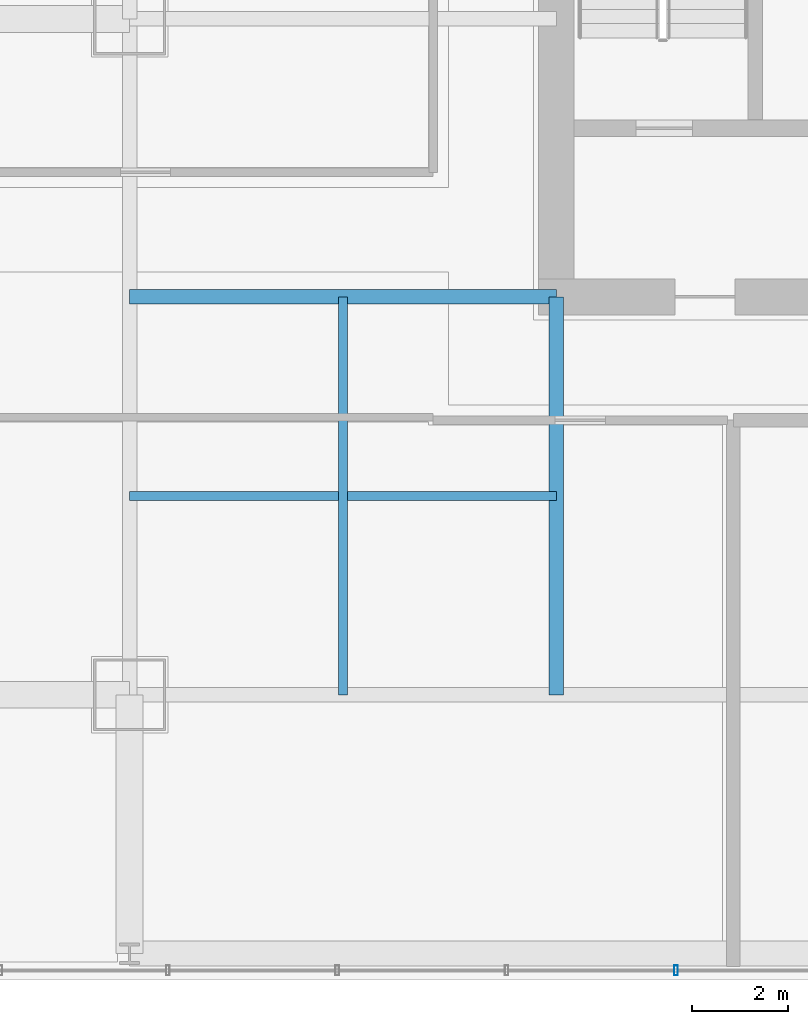
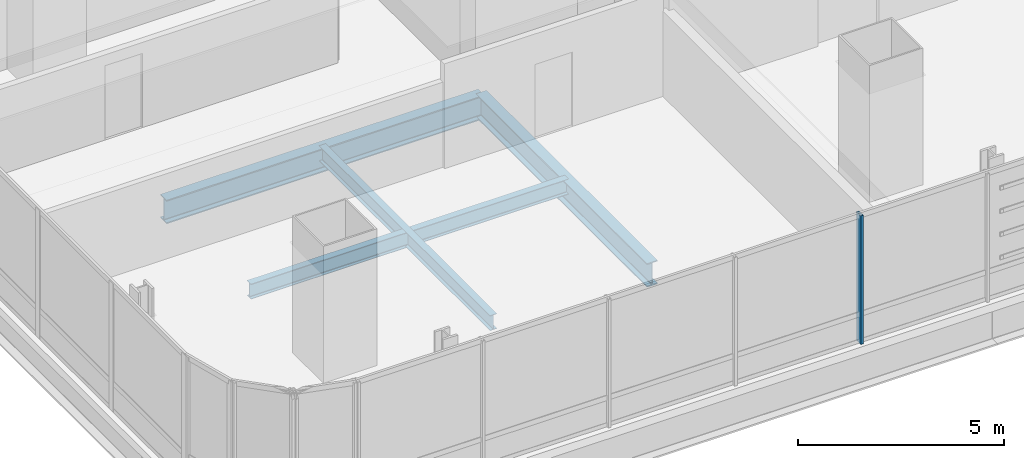
# One storey, part 5 of 36: 4 beams, 1 member, 1 element without a shape of its own.
"""IFC4 building model written with IfcOpenShell, lengths in metres."""

from ifc_helpers import new_model, si_unit, direction, frame, origin, origin_2d, place, context, subcontext, project, spatial, hollow_rectangle, i_section, extrude, material, material_profile, profile_set, type_object, element, aggregate, save


model = new_model("IFC4")

# Units and contexts
model_context = context("Model", 3, precision=1e-05, world=origin(), true_north=direction((0.0, 1.0)))
body_context = subcontext(model_context, "Body", "Model", "MODEL_VIEW")
ifc_project = project(units=[si_unit("LENGTHUNIT", "METRE"), si_unit("AREAUNIT", "SQUARE_METRE"), si_unit("VOLUMEUNIT", "CUBIC_METRE"), si_unit("PLANEANGLEUNIT", "RADIAN"), si_unit("MASSUNIT", "GRAM", prefix="KILO")], contexts=[model_context])

# Site, building, storey
site_placement = place(None, origin())
site = spatial("IfcSite", under=ifc_project, at=site_placement, CompositionType="ELEMENT")
building_placement = place(site_placement, origin())
building = spatial("IfcBuilding", under=site, at=building_placement, Name="Punatoya Terracotta Tower", CompositionType="ELEMENT")
storey_placement = place(building_placement, frame((0.0, 0.0, 48.449951171875)))
storey = spatial("IfcBuildingStorey", under=building, at=storey_placement, Name="L10", CompositionType="ELEMENT", Elevation=48.449951171875)

# Beams
ifc_material_1 = material(Name="Steel S355", Category="steel")
ifc_material_profile_1 = material_profile(ifc_material_1, i_section(OverallWidth=0.300048828125, OverallDepth=0.699951171875, WebThickness=0.01708984375, FlangeThickness=0.031982421875, FilletRadius=0.01806640625, at=origin_2d()))
ifc_profile_set_1 = profile_set([ifc_material_profile_1], Name="Steel S355")
beam_type_1 = type_object("IfcBeamType", Name="BM-PRI-700", PredefinedType="BEAM", material=ifc_profile_set_1)
beam_1_placement = place(storey_placement, frame((-19.10009765625, -9.199951171875, -0.58984375), z_axis=(1.0, 0.0, 0.0), x_axis=(0.0, 1.0, 0.0)))
element("IfcBeam", 1, at=beam_1_placement, inside=storey, type_object=beam_type_1, Name="BM-L10-PR-WS", PredefinedType="BEAM", context=body_context, shape_type="SweptSolid", body=[
    extrude(i_section(OverallWidth=0.300048828125, OverallDepth=0.699951171875, WebThickness=0.01708984375, FlangeThickness=0.031982421875, FilletRadius=0.01806640625, at=origin_2d()), origin(), (0.0, 0.0, 1.0), 8.900146484375),
])
beam_2_placement = place(storey_placement, frame((-10.199951171875, -17.5, -0.58984375), z_axis=(0.0, 1.0, 0.0), x_axis=(-1.0, 0.0, 0.0)))
element("IfcBeam", 2, at=beam_2_placement, inside=storey, type_object=beam_type_1, Name="BM-L10-PR-S1", PredefinedType="BEAM", context=body_context, shape_type="SweptSolid", body=[
    extrude(i_section(OverallWidth=0.300048828125, OverallDepth=0.699951171875, WebThickness=0.01708984375, FlangeThickness=0.031982421875, FilletRadius=0.01806640625, at=origin_2d()), origin(), (0.0, 0.0, 1.0), 8.300048828125),
])
ifc_material_profile_2 = material_profile(ifc_material_1, i_section(OverallWidth=0.18994140625, OverallDepth=0.449951171875, WebThickness=0.009521484375, FlangeThickness=0.0146484375, FilletRadius=0.01806640625, at=origin_2d()))
ifc_profile_set_2 = profile_set([ifc_material_profile_2], Name="Steel S355")
beam_type_2 = type_object("IfcBeamType", Name="BM-SEC-450", PredefinedType="JOIST", material=ifc_profile_set_2)
beam_3_placement = place(storey_placement, frame((-19.10009765625, -13.35009765625, -0.46484375), z_axis=(1.0, 0.0, 0.0), x_axis=(0.0, 1.0, 0.0)))
element("IfcBeam", 3, at=beam_3_placement, inside=storey, type_object=beam_type_2, Name="BM-L10-SJS-1", PredefinedType="JOIST", context=body_context, shape_type="SweptSolid", body=[
    extrude(i_section(OverallWidth=0.18994140625, OverallDepth=0.449951171875, WebThickness=0.009521484375, FlangeThickness=0.0146484375, FilletRadius=0.01806640625, at=origin_2d()), origin(), (0.0, 0.0, 1.0), 8.900146484375),
])
beam_4_placement = place(storey_placement, frame((-14.64990234375, -17.5, -0.46484375), z_axis=(0.0, 1.0, 0.0), x_axis=(-1.0, 0.0, 0.0)))
element("IfcBeam", 4, at=beam_4_placement, inside=storey, type_object=beam_type_2, Name="BM-L10-SJW-1", PredefinedType="JOIST", context=body_context, shape_type="SweptSolid", body=[
    extrude(i_section(OverallWidth=0.18994140625, OverallDepth=0.449951171875, WebThickness=0.009521484375, FlangeThickness=0.0146484375, FilletRadius=0.01806640625, at=origin_2d()), origin(), (0.0, 0.0, 1.0), 8.300048828125),
])

# Curtain wall, member
ifc_material_2 = material(Name="Aluminium 6063-T6 + Double Low-E Glass", Category="aluminium")
curtain_wall_type = type_object("IfcCurtainWallType", Name="CW-M1", PredefinedType="NOTDEFINED", material=ifc_material_2)
curtain_wall_placement = place(storey_placement, origin())
curtain_wall = element("IfcCurtainWall", 5, at=curtain_wall_placement, inside=storey, type_object=curtain_wall_type, Name="L10 Curtain Wall CW-L10-S01-1", PredefinedType="NOTDEFINED")
ifc_material_3 = material(Name="Aluminium 6063-T6", Category="aluminium")
ifc_material_profile_3 = material_profile(ifc_material_3, hollow_rectangle(XDim=0.074951171875, YDim=0.2099609375, WallThickness=0.00439453125, at=origin_2d()))
ifc_profile_set_3 = profile_set([ifc_material_profile_3], Name="Aluminium 6063-T6")
member_type = type_object("IfcMemberType", Name="CW-MUL-M1", PredefinedType="MULLION", material=ifc_profile_set_3)
member_placement = place(storey_placement, frame((-7.700927734375, -23.25, 0.0), z_axis=(0.0, 0.0, 1.0), x_axis=(1.0, 0.0, 0.0)))
member = element("IfcMember", 6, at=member_placement, type_object=member_type, Name="CW-L10-S01-1 Mullion 04", PredefinedType="MULLION", context=body_context, shape_type="SweptSolid", body=[
    extrude(hollow_rectangle(XDim=0.074951171875, YDim=0.2099609375, WallThickness=0.00439453125, at=origin_2d()), origin(), (0.0, 0.0, 1.0), 3.81005859375),
])
aggregate(curtain_wall, [member])

save(model, "model.ifc")
